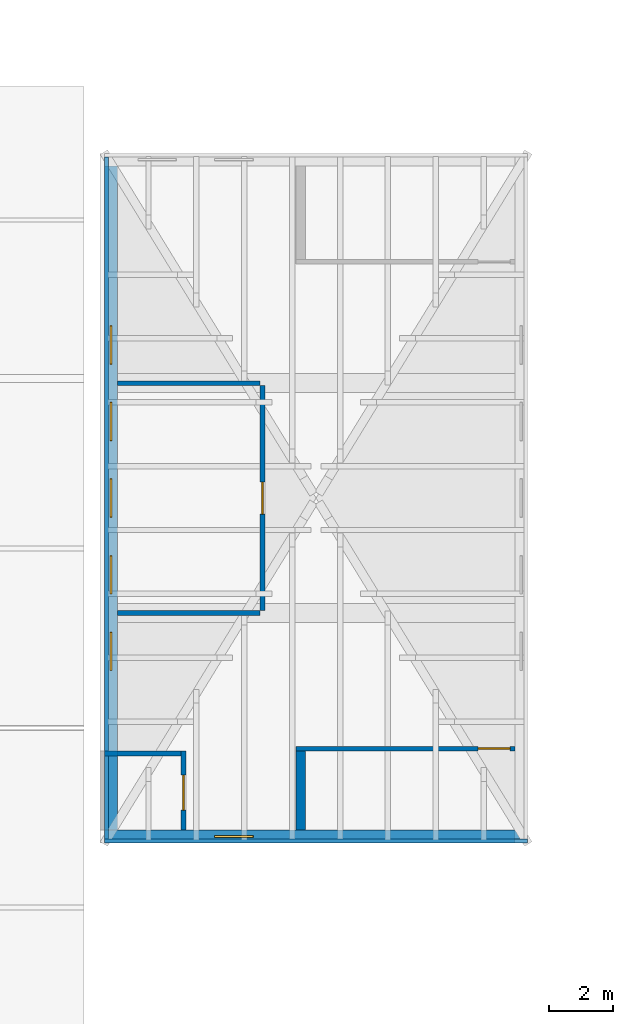
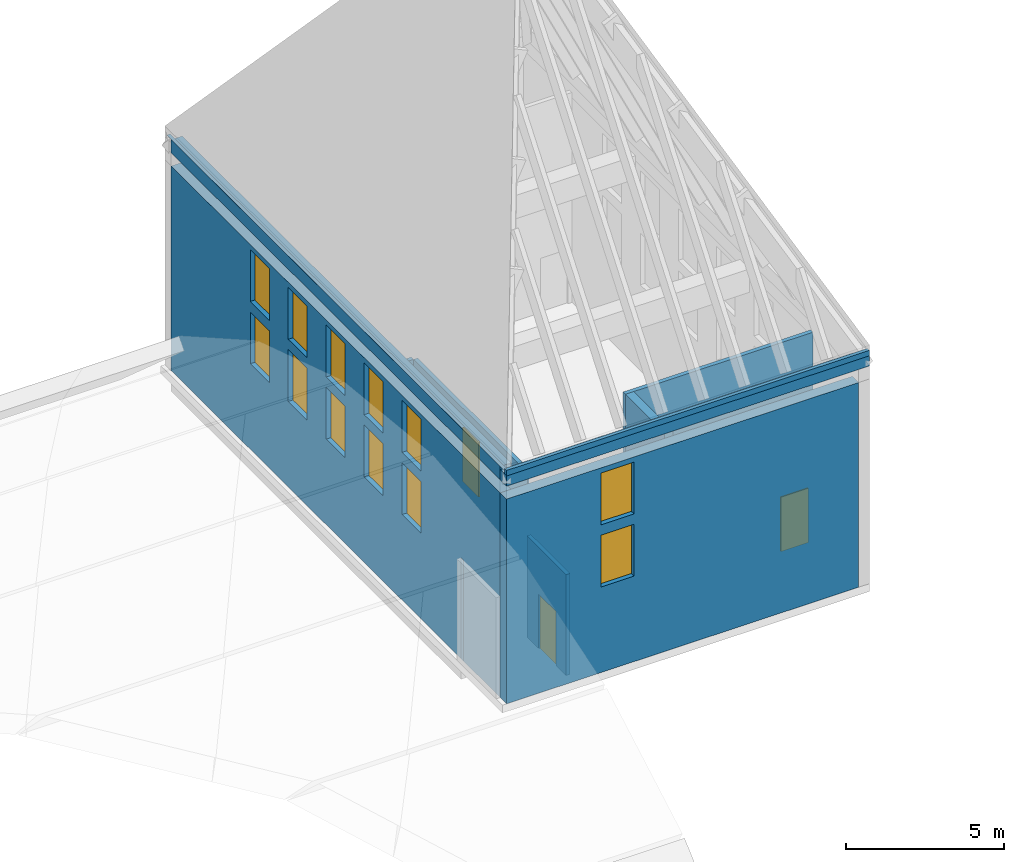
# One storey, part 5 of 8: 13 walls, 12 windows, 3 doors, 15 openings.
"""IFC4 building model written with IfcOpenShell, lengths in metres."""

import ifcopenshell
import ifcopenshell.guid

model = None  # the IFC model being written
_history = None  # IfcOwnerHistory: only IFC2X3 demands one
_inside = {}  # id of a spatial element -> (the spatial element, [elements in it])
_under = {}  # id of a project, library or spatial element -> (it, [spatial elements below it])
_declared = {}  # id of a project -> (the project, [libraries it declares])
_typed = {}  # id of a type object -> (the type object, [elements of that type])
_made_of = {}  # id of a material, layer set ... -> (it, [elements and type objects made of it])


def new_model(schema):
    """Start an empty IFC model of exactly this schema.

    Asked for "IFC4X3", IfcOpenShell would pick the latest addendum, in which some entities
    have other attributes; the version numbers below select the first issue.
    IFC2X3 requires an IfcOwnerHistory on every rooted entity: one is made here for all.
    """
    global model, _history
    if schema == "IFC4X3":
        model = ifcopenshell.file(schema_version=(4, 3, 0, 0))
    else:
        model = ifcopenshell.file(schema=schema)
    _inside.clear()
    _under.clear()
    _declared.clear()
    _typed.clear()
    _made_of.clear()
    _history = None
    if model.schema == "IFC2X3":
        org = make("IfcOrganization", Name="unknown")
        user = make(
            "IfcPersonAndOrganization",
            ThePerson=make("IfcPerson", FamilyName="unknown"),
            TheOrganization=org,
        )
        app = make(
            "IfcApplication",
            ApplicationDeveloper=org,
            Version="unknown",
            ApplicationFullName="unknown",
            ApplicationIdentifier="unknown",
        )
        _history = make(
            "IfcOwnerHistory",
            OwningUser=user,
            OwningApplication=app,
            ChangeAction="ADDED",
            CreationDate=0,
        )
    return model


def make(cls, **values):
    """One entity of the class cls with the attributes given. An attribute that is None is left unset."""
    return model.create_entity(
        cls, **{name: value for name, value in values.items() if value is not None}
    )


def rooted(cls, **values):
    """An entity with a GlobalId (a new one), such as an element, a storey or a relation."""
    return make(cls, GlobalId=ifcopenshell.guid.new(), OwnerHistory=_history, **values)


def si_unit(unit_type, name, prefix=None):
    """IfcSIUnit, for example si_unit("LENGTHUNIT", "METRE", prefix="MILLI")."""
    return make("IfcSIUnit", UnitType=unit_type, Prefix=prefix, Name=name)


def assignment(units):
    """IfcUnitAssignment: the units of a project."""
    return None if units is None else make("IfcUnitAssignment", Units=units)


def point(xyz):
    """IfcCartesianPoint."""
    return None if xyz is None else make("IfcCartesianPoint", Coordinates=xyz)


def direction(xyz):
    """IfcDirection."""
    return None if xyz is None else make("IfcDirection", DirectionRatios=xyz)


def frame(location, z_axis=None, x_axis=None):
    """IfcAxis2Placement3D, a coordinate frame: its origin and axes. An axis left out is left unset."""
    return make(
        "IfcAxis2Placement3D",
        Location=point(location),
        Axis=direction(z_axis),
        RefDirection=direction(x_axis),
    )


def frame_2d(location, x_axis=None):
    """IfcAxis2Placement2D, a coordinate frame in the plane: its origin and x axis."""
    return make(
        "IfcAxis2Placement2D", Location=point(location), RefDirection=direction(x_axis)
    )


def origin():
    """The frame at (0, 0, 0) with its axes left unset."""
    return frame((0.0, 0.0, 0.0))


def place(relative_to, where):
    """IfcLocalPlacement: puts the frame where relative to a parent placement (None: the world)."""
    return make(
        "IfcLocalPlacement", PlacementRelTo=relative_to, RelativePlacement=where
    )


def context(
    kind, dimensions, precision=None, world=None, true_north=None, identifier=None
):
    """IfcGeometricRepresentationContext, for example the 3D "Model" context."""
    return make(
        "IfcGeometricRepresentationContext",
        ContextIdentifier=identifier,
        ContextType=kind,
        CoordinateSpaceDimension=dimensions,
        Precision=precision,
        WorldCoordinateSystem=world,
        TrueNorth=true_north,
    )


def subcontext(parent, identifier, kind, view, scale=None):
    """IfcGeometricRepresentationSubContext, for example "Body" below "Model"."""
    return make(
        "IfcGeometricRepresentationSubContext",
        ContextIdentifier=identifier,
        ContextType=kind,
        ParentContext=parent,
        TargetScale=scale,
        TargetView=view,
    )


def project(units=None, contexts=None):
    """IfcProject with its units and contexts."""
    return rooted(
        "IfcProject",
        Name="project",
        RepresentationContexts=contexts,
        UnitsInContext=assignment(units),
    )


def spatial(cls, under=None, at=None, **own):
    """A site, building, storey or space (cls), placed at a placement, below another one or the project."""
    s = rooted(cls, ObjectPlacement=at, **own)
    if under is not None:
        _under.setdefault(under.id(), (under, []))[1].append(s)
    return s


def profile(cls, at=None, kind="AREA", **sizes):
    """A parametric profile (cls). Its sizes go by their IFC names, for example OverallWidth=200.0."""
    return make(cls, ProfileType=kind, Position=at, **sizes)


def rectangle(**sizes):
    """IfcRectangleProfileDef."""
    return profile("IfcRectangleProfileDef", **sizes)


def extrude(swept, where, along, depth):
    """IfcExtrudedAreaSolid: the profile swept, set in the frame where, extruded along a direction by depth."""
    return make(
        "IfcExtrudedAreaSolid",
        SweptArea=swept,
        Position=where,
        ExtrudedDirection=direction(along),
        Depth=depth,
    )


def shape(context_of_items, identifier, shape_type, items):
    """IfcShapeRepresentation: the items that make up one representation, for example the "Body"."""
    return make(
        "IfcShapeRepresentation",
        ContextOfItems=context_of_items,
        RepresentationIdentifier=identifier,
        RepresentationType=shape_type,
        Items=items,
    )


def material(Name=None, Category=None):
    """IfcMaterial."""
    return make("IfcMaterial", Name=Name, Category=Category)


def layer(
    of_material, thickness, ventilated=None, Name=None, Category=None, Priority=None
):
    """IfcMaterialLayer: one layer of a wall or slab, of a material (None: an air gap)."""
    return make(
        "IfcMaterialLayer",
        Material=of_material,
        LayerThickness=thickness,
        IsVentilated=ventilated,
        Name=Name,
        Category=Category,
        Priority=Priority,
    )


def layer_set(layers, Name=None):
    """IfcMaterialLayerSet."""
    return make("IfcMaterialLayerSet", MaterialLayers=layers, LayerSetName=Name)


def made_of(thing, what):
    """Note that an element or type object is made of a material, layer set ...; save() writes the relation."""
    if what is not None:
        _made_of.setdefault(what.id(), (what, []))[1].append(thing)
    return thing


def type_object(cls, material=None, **own):
    """A type object (cls), such as IfcWallType, which elements share."""
    return made_of(rooted(cls, **own), material)


def element(
    cls,
    number,
    at=None,
    inside=None,
    cuts=None,
    type_object=None,
    material=None,
    context=None,
    identifier="Body",
    shape_type=None,
    held_by="IfcProductDefinitionShape",
    body=None,
    shapes=None,
    **own,
):
    """One element of the class cls, such as IfcWall. Its Tag is "e" and its number.

    at: its placement. inside: the storey or other place that contains it. cuts: it is an
    opening in that element (IfcRelVoidsElement). A single representation is given by context,
    identifier, shape_type and body (its items); several are given by shapes. held_by: the class
    of the entity that holds the representations. save() writes the other relations.
    """
    e = rooted(cls, Tag="e%d" % number, ObjectPlacement=at, **own)
    if body is not None:
        shapes = [shape(context, identifier, shape_type, body)]
    if shapes is not None:
        e.Representation = make(held_by, Representations=shapes)
    if inside is not None:
        _inside.setdefault(inside.id(), (inside, []))[1].append(e)
    if cuts is not None:
        rooted(
            "IfcRelVoidsElement", RelatingBuildingElement=cuts, RelatedOpeningElement=e
        )
    if type_object is not None:
        _typed.setdefault(type_object.id(), (type_object, []))[1].append(e)
    return made_of(e, material)


def fill(opening, filler):
    """IfcRelFillsElement: the door or window that sits in an opening."""
    return rooted(
        "IfcRelFillsElement",
        RelatingOpeningElement=opening,
        RelatedBuildingElement=filler,
    )


def aggregate(whole, parts):
    """IfcRelAggregates: a whole, such as a stair, and the parts it consists of."""
    return rooted("IfcRelAggregates", RelatingObject=whole, RelatedObjects=parts)


def save(model, path):
    """Write the relations noted so far, then the file.

    IfcRelAggregates (storeys below a building ...), IfcRelContainedInSpatialStructure (elements
    in a storey), IfcRelDefinesByType, IfcRelAssociatesMaterial and IfcRelDeclares: one each for
    every whole, place, type object, material and project.
    """
    for whole, parts in _under.values():
        aggregate(whole, parts)
    for where, things in _inside.values():
        rooted(
            "IfcRelContainedInSpatialStructure",
            RelatedElements=things,
            RelatingStructure=where,
        )
    for kind, things in _typed.values():
        rooted("IfcRelDefinesByType", RelatedObjects=things, RelatingType=kind)
    for what, things in _made_of.values():
        rooted("IfcRelAssociatesMaterial", RelatedObjects=things, RelatingMaterial=what)
    for by, libraries in _declared.values():
        rooted("IfcRelDeclares", RelatingContext=by, RelatedDefinitions=libraries)
    model.write(path)


model = new_model("IFC4")

# Units and contexts
model_context = context("Model", 3, precision=1e-05, world=origin(), true_north=direction((0.0, 1.0)))
body_context = subcontext(model_context, "Body", "Model", "MODEL_VIEW")
ifc_project = project(units=[si_unit("LENGTHUNIT", "METRE"), si_unit("AREAUNIT", "SQUARE_METRE"), si_unit("VOLUMEUNIT", "CUBIC_METRE"), si_unit("PLANEANGLEUNIT", "RADIAN"), si_unit("MASSUNIT", "GRAM", prefix="KILO")], contexts=[model_context])

# Site, building, storey
site_placement = place(None, origin())
site = spatial("IfcSite", under=ifc_project, at=site_placement, CompositionType="ELEMENT")
building_placement = place(site_placement, origin())
building = spatial("IfcBuilding", under=site, at=building_placement, Name="Vermilion Court Aquatics Centre", CompositionType="ELEMENT")
storey_placement = place(building_placement, frame((0.0, 0.0, 23.300048828125)))
storey = spatial("IfcBuildingStorey", under=building, at=storey_placement, Name="ROOF", CompositionType="ELEMENT", Elevation=23.300048828125)

# Walls
ifc_material_1 = material(Name="Terracotta cladding", Category="masonry")
ifc_layer_1 = layer(ifc_material_1, 0.1201171875)
ifc_layer_set_1 = layer_set([ifc_layer_1], Name="Diving Tower crown eaves fascia 120")
wall_type_1 = type_object("IfcWallType", Name="Diving Tower crown eaves fascia 120", PredefinedType="PARAPET", material=ifc_layer_set_1)
wall_1_placement = place(storey_placement, frame((144.64990234375, 36.06005859375, 8.792724609375), z_axis=(0.0, 0.0, 1.0), x_axis=(1.0, 0.0, 0.0)))
element("IfcWall", 1, at=wall_1_placement, inside=storey, type_object=wall_type_1, Name="Diving Tower crown eaves fascia S", PredefinedType="PARAPET", context=body_context, shape_type="SweptSolid", body=[
    extrude(rectangle(XDim=13.25, YDim=0.1201171875, at=frame_2d((6.625, 0.0))), origin(), (0.0, 0.0, 1.0), 0.212890625),
])
wall_2_placement = place(storey_placement, frame((144.7099609375, 36.1201171875, 8.915283203125), z_axis=(0.0, 0.0, 1.0), x_axis=(0.0, 1.0, 0.0)))
element("IfcWall", 2, at=wall_2_placement, inside=storey, type_object=wall_type_1, Name="Diving Tower crown eaves fascia W", PredefinedType="PARAPET", context=body_context, shape_type="SweptSolid", body=[
    extrude(rectangle(XDim=21.35986328125, YDim=0.1201171875, at=frame_2d((10.679931640625, 0.0))), origin(), (0.0, 0.0, 1.0), 0.006103515625),
])
ifc_material_2 = material(Name="Concrete 8000 psi", Category="concrete")
ifc_layer_2 = layer(ifc_material_2, 0.39990234375)
ifc_layer_set_2 = layer_set([ifc_layer_2], Name="Diving Tower crown eaves kerb 400")
wall_type_2 = type_object("IfcWallType", Name="Diving Tower crown eaves kerb 400", PredefinedType="PARAPET", material=ifc_layer_set_2)
wall_3_placement = place(storey_placement, frame((144.64990234375, 36.199951171875, 8.39990234375), z_axis=(0.0, 0.0, 1.0), x_axis=(1.0, 0.0, 0.0)))
element("IfcWall", 3, at=wall_3_placement, inside=storey, type_object=wall_type_2, Name="Diving Tower crown eaves kerb S", PredefinedType="PARAPET", context=body_context, shape_type="SweptSolid", body=[
    extrude(rectangle(XDim=13.25, YDim=0.39990234375, at=frame_2d((6.625, 0.0))), origin(), (0.0, 0.0, 1.0), 0.392822265625),
])
wall_4_placement = place(storey_placement, frame((144.85009765625, 36.39990234375, 8.39990234375), z_axis=(0.0, 0.0, 1.0), x_axis=(0.0, 1.0, 0.0)))
element("IfcWall", 4, at=wall_4_placement, inside=storey, type_object=wall_type_2, Name="Diving Tower crown eaves kerb W", PredefinedType="PARAPET", context=body_context, shape_type="SweptSolid", body=[
    extrude(rectangle(XDim=20.800048828125, YDim=0.39990234375, at=frame_2d((10.39990234375, 0.0))), origin(), (0.0, 0.0, 1.0), 0.515380859375),
])

# Wall, opening, door
ifc_material_3 = material(Name="Concrete 5000 psi", Category="concrete")
ifc_layer_3 = layer(ifc_material_3, 0.14990234375)
ifc_layer_set_3 = layer_set([ifc_layer_3], Name="Diving Tower lift shaft wall 150")
wall_type_3 = type_object("IfcWallType", Name="Diving Tower lift shaft wall 150", PredefinedType="PARTITIONING", material=ifc_layer_set_3)
wall_5_placement = place(storey_placement, frame((147.125, 36.39990234375, 0.0), z_axis=(0.0, 0.0, 1.0), x_axis=(0.0, 1.0, 0.0)))
wall_5 = element("IfcWall", 5, at=wall_5_placement, inside=storey, type_object=wall_type_3, Name="Diving Tower lift overrun wall front", PredefinedType="PARTITIONING", context=body_context, shape_type="SweptSolid", body=[
    extrude(rectangle(XDim=2.47509765625, YDim=0.14990234375, at=frame_2d((1.237548828125, 0.0))), origin(), (0.0, 0.0, 1.0), 3.89990234375),
])
opening_1_placement = place(wall_5_placement, frame((0.625, 0.0, 0.0)))
opening_1 = element("IfcOpeningElement", 6, at=opening_1_placement, cuts=wall_5, Name="Opening LD5-OOF", PredefinedType="OPENING", context=body_context, shape_type="SweptSolid", body=[
    extrude(rectangle(XDim=1.10009765625, YDim=2.10009765625, at=frame_2d((0.550048828125, 1.050048828125))), frame((0.0, 0.0849609375, 0.0), z_axis=(0.0, -1.0, 0.0), x_axis=(1.0, 0.0, 0.0)), (0.0, 0.0, 1.0), 0.169921875),
])
ifc_material_4 = material(Name="Hollow metal")
door_type_1 = type_object("IfcDoorType", Name="Diving Tower lift landing door 1100x2100", OperationType="DOUBLE_DOOR_SLIDING", PredefinedType="DOOR", material=ifc_material_4)
door_1_placement = place(opening_1_placement, origin())
door_1 = element("IfcDoor", 7, at=door_1_placement, inside=storey, type_object=door_type_1, Name="Lift landing door L5 ROOF", OperationType="DOUBLE_DOOR_SLIDING", OverallHeight=2.10009765625, OverallWidth=1.10009765625, PredefinedType="DOOR", context=body_context, shape_type="SweptSolid", body=[
    extrude(rectangle(XDim=1.10009765625, YDim=2.10009765625, at=frame_2d((0.550048828125, 1.050048828125))), frame((0.0, 0.02490234375, 0.0), z_axis=(0.0, -1.0, 0.0), x_axis=(1.0, 0.0, 0.0)), (0.0, 0.0, 1.0), 0.050048828125),
])
fill(opening_1, door_1)

# Walls
wall_6_placement = place(storey_placement, frame((144.64990234375, 38.800048828125, 0.0), z_axis=(0.0, 0.0, 1.0), x_axis=(1.0, 0.0, 0.0)))
element("IfcWall", 8, at=wall_6_placement, inside=storey, type_object=wall_type_3, Name="Diving Tower lift overrun wall north", PredefinedType="PARTITIONING", context=body_context, shape_type="SweptSolid", body=[
    extrude(rectangle(XDim=2.550048828125, YDim=0.14990234375, at=frame_2d((1.27490234375, 0.0))), origin(), (0.0, 0.0, 1.0), 3.89990234375),
])
for number, where, z_axis, x_axis, name in (
    (9, (145.050048828125, 43.199951171875, 0.0), (0.0, 0.0, 1.0), (1.0, 0.0, 0.0), "Diving Tower lift shaft wall control room south"),
    (10, (145.050048828125, 50.39990234375, 0.0), (0.0, 0.0, 1.0), (1.0, 0.0, 0.0), "Diving Tower lift shaft wall control room north"),
):
    element("IfcWall", number, at=place(storey_placement, frame(where, z_axis=z_axis, x_axis=x_axis)), inside=storey, type_object=wall_type_3, Name=name, PredefinedType="PARTITIONING", context=body_context, shape_type="SweptSolid", body=[
        extrude(rectangle(XDim=4.474853515625, YDim=0.14990234375, at=frame_2d((2.2373046875, 0.0))), origin(), (0.0, 0.0, 1.0), 2.89990234375),
    ])

# Wall, opening, door
ifc_material_5 = material(Name="Concrete masonry ASTM C90 Type I", Category="masonry")
ifc_layer_4 = layer(ifc_material_5, 0.14990234375)
ifc_layer_set_4 = layer_set([ifc_layer_4], Name="Diving Tower partition 150")
wall_type_4 = type_object("IfcWallType", Name="Diving Tower partition 150", PredefinedType="PARTITIONING", material=ifc_layer_set_4)
wall_7_placement = place(storey_placement, frame((149.60009765625, 43.27490234375, 0.0), z_axis=(0.0, 0.0, 1.0), x_axis=(0.0, 1.0, 0.0)))
wall_7 = element("IfcWall", 11, at=wall_7_placement, inside=storey, type_object=wall_type_4, Name="Diving Tower control room east partition", PredefinedType="PARTITIONING", context=body_context, shape_type="SweptSolid", body=[
    extrude(rectangle(XDim=7.050048828125, YDim=0.14990234375, at=frame_2d((3.52490234375, 0.0))), origin(), (0.0, 0.0, 1.0), 2.89990234375),
])
opening_2_placement = place(wall_7_placement, frame((3.02490234375, 0.0, 0.0)))
opening_2 = element("IfcOpeningElement", 12, at=opening_2_placement, cuts=wall_7, Name="Opening UROOF-001", PredefinedType="OPENING", context=body_context, shape_type="SweptSolid", body=[
    extrude(rectangle(XDim=1.0, YDim=2.10009765625, at=frame_2d((0.5, 1.050048828125))), frame((0.0, 0.0849609375, 0.0), z_axis=(0.0, -1.0, 0.0), x_axis=(1.0, 0.0, 0.0)), (0.0, 0.0, 1.0), 0.169921875),
])
ifc_material_6 = material(Name="Hollow metal")
door_type_2 = type_object("IfcDoorType", Name="Diving Tower stair door FD90 1000x2100", OperationType="NOTDEFINED", PredefinedType="DOOR", material=ifc_material_6)
door_2_placement = place(opening_2_placement, origin())
door_2 = element("IfcDoor", 13, at=door_2_placement, inside=storey, type_object=door_type_2, Name="Diving Tower plant control room door", OperationType="SINGLE_SWING_LEFT", OverallHeight=2.10009765625, OverallWidth=1.0, PredefinedType="DOOR", context=body_context, shape_type="SweptSolid", body=[
    extrude(rectangle(XDim=1.0, YDim=2.10009765625, at=frame_2d((0.5, 1.050048828125))), frame((0.0, 0.02490234375, 0.0), z_axis=(0.0, -1.0, 0.0), x_axis=(1.0, 0.0, 0.0)), (0.0, 0.0, 1.0), 0.050048828125),
])
fill(opening_2, door_2)

# Wall, openings, windows
ifc_material_7 = material(Name="Brick masonry", Category="masonry")
ifc_layer_5 = layer(ifc_material_7, 0.39990234375)
ifc_layer_set_5 = layer_set([ifc_layer_5], Name="Diving Tower plant shaft wall 400")
wall_type_5 = type_object("IfcWallType", Name="Diving Tower plant shaft wall 400", PredefinedType="SOLIDWALL", material=ifc_layer_set_5)
wall_8_placement = place(storey_placement, frame((144.64990234375, 36.199951171875, 0.0), z_axis=(0.0, 0.0, 1.0), x_axis=(1.0, 0.0, 0.0)))
wall_8 = element("IfcWall", 14, at=wall_8_placement, inside=storey, type_object=wall_type_5, Name="Diving Tower plant shaft wall south", PredefinedType="SOLIDWALL", context=body_context, shape_type="SweptSolid", body=[
    extrude(rectangle(XDim=12.85009765625, YDim=0.39990234375, at=frame_2d((6.425048828125, 0.0))), origin(), (0.0, 0.0, 1.0), 7.89990234375),
])
opening_3_placement = place(wall_8_placement, frame((3.449951171875, 0.0, 3.300048828125)))
opening_3 = element("IfcOpeningElement", 15, at=opening_3_placement, cuts=wall_8, Name="Opening UWN13", PredefinedType="OPENING", context=body_context, shape_type="SweptSolid", body=[
    extrude(rectangle(XDim=1.199951171875, YDim=2.0, at=frame_2d((0.60009765625, 1.0))), frame((0.0, 0.2099609375, 0.0), z_axis=(0.0, -1.0, 0.0), x_axis=(1.0, 0.0, 0.0)), (0.0, 0.0, 1.0), 0.419921875),
])
opening_4_placement = place(wall_8_placement, frame((3.449951171875, 0.0, 5.699951171875)))
opening_4 = element("IfcOpeningElement", 16, at=opening_4_placement, cuts=wall_8, Name="Opening UWN13", PredefinedType="OPENING", context=body_context, shape_type="SweptSolid", body=[
    extrude(rectangle(XDim=1.199951171875, YDim=2.0, at=frame_2d((0.60009765625, 1.0))), frame((0.0, 0.2099609375, 0.0), z_axis=(0.0, -1.0, 0.0), x_axis=(1.0, 0.0, 0.0)), (0.0, 0.0, 1.0), 0.419921875),
])
ifc_material_8 = material(Name="Aluminium 6063-T5", Category="aluminium")
window_type = type_object("IfcWindowType", Name="Diving Tower plant louvre 1200x2000", PartitioningType="SINGLE_PANEL", PredefinedType="WINDOW", material=ifc_material_8)
window_1_placement = place(opening_3_placement, origin())
window_1 = element("IfcWindow", 17, at=window_1_placement, inside=storey, type_object=window_type, Name="Diving Tower plant louvre S13 band 1", OverallHeight=2.0, OverallWidth=1.199951171875, PartitioningType="SINGLE_PANEL", PredefinedType="WINDOW", context=body_context, shape_type="SweptSolid", body=[
    extrude(rectangle(XDim=1.199951171875, YDim=2.0, at=frame_2d((0.60009765625, 1.0))), frame((0.0, 0.030029296875, 0.0), z_axis=(0.0, -1.0, 0.0), x_axis=(1.0, 0.0, 0.0)), (0.0, 0.0, 1.0), 0.06005859375),
])
fill(opening_3, window_1)
window_2_placement = place(opening_4_placement, origin())
window_2 = element("IfcWindow", 18, at=window_2_placement, inside=storey, type_object=window_type, Name="Diving Tower plant louvre S13 band 2", OverallHeight=2.0, OverallWidth=1.199951171875, PartitioningType="SINGLE_PANEL", PredefinedType="WINDOW", context=body_context, shape_type="SweptSolid", body=[
    extrude(rectangle(XDim=1.199951171875, YDim=2.0, at=frame_2d((0.60009765625, 1.0))), frame((0.0, 0.030029296875, 0.0), z_axis=(0.0, -1.0, 0.0), x_axis=(1.0, 0.0, 0.0)), (0.0, 0.0, 1.0), 0.06005859375),
])
fill(opening_4, window_2)

wall_9_placement = place(storey_placement, frame((144.85009765625, 36.39990234375, 0.0), z_axis=(0.0, 0.0, 1.0), x_axis=(0.0, 1.0, 0.0)))
wall_9 = element("IfcWall", 19, at=wall_9_placement, inside=storey, type_object=wall_type_5, Name="Diving Tower plant shaft wall west", PredefinedType="SOLIDWALL", context=body_context, shape_type="SweptSolid", body=[
    extrude(rectangle(XDim=20.800048828125, YDim=0.39990234375, at=frame_2d((10.39990234375, 0.0))), origin(), (0.0, 0.0, 1.0), 7.89990234375),
])
opening_5_placement = place(wall_9_placement, frame((5.0, 0.0, 3.300048828125)))
opening_5 = element("IfcOpeningElement", 20, at=opening_5_placement, cuts=wall_9, Name="Opening UWN13", PredefinedType="OPENING", context=body_context, shape_type="SweptSolid", body=[
    extrude(rectangle(XDim=1.199951171875, YDim=2.0, at=frame_2d((0.60009765625, 1.0))), frame((0.0, 0.2099609375, 0.0), z_axis=(0.0, -1.0, 0.0), x_axis=(1.0, 0.0, 0.0)), (0.0, 0.0, 1.0), 0.419921875),
])
opening_6_placement = place(wall_9_placement, frame((7.39990234375, 0.0, 3.300048828125)))
opening_6 = element("IfcOpeningElement", 21, at=opening_6_placement, cuts=wall_9, Name="Opening UWN13", PredefinedType="OPENING", context=body_context, shape_type="SweptSolid", body=[
    extrude(rectangle(XDim=1.199951171875, YDim=2.0, at=frame_2d((0.60009765625, 1.0))), frame((0.0, 0.2099609375, 0.0), z_axis=(0.0, -1.0, 0.0), x_axis=(1.0, 0.0, 0.0)), (0.0, 0.0, 1.0), 0.419921875),
])
opening_7_placement = place(wall_9_placement, frame((9.800048828125, 0.0, 3.300048828125)))
opening_7 = element("IfcOpeningElement", 22, at=opening_7_placement, cuts=wall_9, Name="Opening UWN13", PredefinedType="OPENING", context=body_context, shape_type="SweptSolid", body=[
    extrude(rectangle(XDim=1.199951171875, YDim=2.0, at=frame_2d((0.60009765625, 1.0))), frame((0.0, 0.2099609375, 0.0), z_axis=(0.0, -1.0, 0.0), x_axis=(1.0, 0.0, 0.0)), (0.0, 0.0, 1.0), 0.419921875),
])
opening_8_placement = place(wall_9_placement, frame((12.199951171875, 0.0, 3.300048828125)))
opening_8 = element("IfcOpeningElement", 23, at=opening_8_placement, cuts=wall_9, Name="Opening UWN13", PredefinedType="OPENING", context=body_context, shape_type="SweptSolid", body=[
    extrude(rectangle(XDim=1.199951171875, YDim=2.0, at=frame_2d((0.60009765625, 1.0))), frame((0.0, 0.2099609375, 0.0), z_axis=(0.0, -1.0, 0.0), x_axis=(1.0, 0.0, 0.0)), (0.0, 0.0, 1.0), 0.419921875),
])
opening_9_placement = place(wall_9_placement, frame((14.60009765625, 0.0, 3.300048828125)))
opening_9 = element("IfcOpeningElement", 24, at=opening_9_placement, cuts=wall_9, Name="Opening UWN13", PredefinedType="OPENING", context=body_context, shape_type="SweptSolid", body=[
    extrude(rectangle(XDim=1.199951171875, YDim=2.0, at=frame_2d((0.60009765625, 1.0))), frame((0.0, 0.2099609375, 0.0), z_axis=(0.0, -1.0, 0.0), x_axis=(1.0, 0.0, 0.0)), (0.0, 0.0, 1.0), 0.419921875),
])
opening_10_placement = place(wall_9_placement, frame((5.0, 0.0, 5.699951171875)))
opening_10 = element("IfcOpeningElement", 25, at=opening_10_placement, cuts=wall_9, Name="Opening UWN13", PredefinedType="OPENING", context=body_context, shape_type="SweptSolid", body=[
    extrude(rectangle(XDim=1.199951171875, YDim=2.0, at=frame_2d((0.60009765625, 1.0))), frame((0.0, 0.2099609375, 0.0), z_axis=(0.0, -1.0, 0.0), x_axis=(1.0, 0.0, 0.0)), (0.0, 0.0, 1.0), 0.419921875),
])
opening_11_placement = place(wall_9_placement, frame((7.39990234375, 0.0, 5.699951171875)))
opening_11 = element("IfcOpeningElement", 26, at=opening_11_placement, cuts=wall_9, Name="Opening UWN13", PredefinedType="OPENING", context=body_context, shape_type="SweptSolid", body=[
    extrude(rectangle(XDim=1.199951171875, YDim=2.0, at=frame_2d((0.60009765625, 1.0))), frame((0.0, 0.2099609375, 0.0), z_axis=(0.0, -1.0, 0.0), x_axis=(1.0, 0.0, 0.0)), (0.0, 0.0, 1.0), 0.419921875),
])
opening_12_placement = place(wall_9_placement, frame((9.800048828125, 0.0, 5.699951171875)))
opening_12 = element("IfcOpeningElement", 27, at=opening_12_placement, cuts=wall_9, Name="Opening UWN13", PredefinedType="OPENING", context=body_context, shape_type="SweptSolid", body=[
    extrude(rectangle(XDim=1.199951171875, YDim=2.0, at=frame_2d((0.60009765625, 1.0))), frame((0.0, 0.2099609375, 0.0), z_axis=(0.0, -1.0, 0.0), x_axis=(1.0, 0.0, 0.0)), (0.0, 0.0, 1.0), 0.419921875),
])
opening_13_placement = place(wall_9_placement, frame((12.199951171875, 0.0, 5.699951171875)))
opening_13 = element("IfcOpeningElement", 28, at=opening_13_placement, cuts=wall_9, Name="Opening UWN13", PredefinedType="OPENING", context=body_context, shape_type="SweptSolid", body=[
    extrude(rectangle(XDim=1.199951171875, YDim=2.0, at=frame_2d((0.60009765625, 1.0))), frame((0.0, 0.2099609375, 0.0), z_axis=(0.0, -1.0, 0.0), x_axis=(1.0, 0.0, 0.0)), (0.0, 0.0, 1.0), 0.419921875),
])
opening_14_placement = place(wall_9_placement, frame((14.60009765625, 0.0, 5.699951171875)))
opening_14 = element("IfcOpeningElement", 29, at=opening_14_placement, cuts=wall_9, Name="Opening UWN13", PredefinedType="OPENING", context=body_context, shape_type="SweptSolid", body=[
    extrude(rectangle(XDim=1.199951171875, YDim=2.0, at=frame_2d((0.60009765625, 1.0))), frame((0.0, 0.2099609375, 0.0), z_axis=(0.0, -1.0, 0.0), x_axis=(1.0, 0.0, 0.0)), (0.0, 0.0, 1.0), 0.419921875),
])
window_3_placement = place(opening_5_placement, origin())
window_3 = element("IfcWindow", 30, at=window_3_placement, inside=storey, type_object=window_type, Name="Diving Tower plant louvre W6 band 1", OverallHeight=2.0, OverallWidth=1.199951171875, PartitioningType="SINGLE_PANEL", PredefinedType="WINDOW", context=body_context, shape_type="SweptSolid", body=[
    extrude(rectangle(XDim=1.199951171875, YDim=2.0, at=frame_2d((0.60009765625, 1.0))), frame((0.0, 0.030029296875, 0.0), z_axis=(0.0, -1.0, 0.0), x_axis=(1.0, 0.0, 0.0)), (0.0, 0.0, 1.0), 0.06005859375),
])
fill(opening_5, window_3)
window_4_placement = place(opening_6_placement, origin())
window_4 = element("IfcWindow", 31, at=window_4_placement, inside=storey, type_object=window_type, Name="Diving Tower plant louvre W7 band 1", OverallHeight=2.0, OverallWidth=1.199951171875, PartitioningType="SINGLE_PANEL", PredefinedType="WINDOW", context=body_context, shape_type="SweptSolid", body=[
    extrude(rectangle(XDim=1.199951171875, YDim=2.0, at=frame_2d((0.60009765625, 1.0))), frame((0.0, 0.030029296875, 0.0), z_axis=(0.0, -1.0, 0.0), x_axis=(1.0, 0.0, 0.0)), (0.0, 0.0, 1.0), 0.06005859375),
])
fill(opening_6, window_4)
window_5_placement = place(opening_7_placement, origin())
window_5 = element("IfcWindow", 32, at=window_5_placement, inside=storey, type_object=window_type, Name="Diving Tower plant louvre W8 band 1", OverallHeight=2.0, OverallWidth=1.199951171875, PartitioningType="SINGLE_PANEL", PredefinedType="WINDOW", context=body_context, shape_type="SweptSolid", body=[
    extrude(rectangle(XDim=1.199951171875, YDim=2.0, at=frame_2d((0.60009765625, 1.0))), frame((0.0, 0.030029296875, 0.0), z_axis=(0.0, -1.0, 0.0), x_axis=(1.0, 0.0, 0.0)), (0.0, 0.0, 1.0), 0.06005859375),
])
fill(opening_7, window_5)
window_6_placement = place(opening_8_placement, origin())
window_6 = element("IfcWindow", 33, at=window_6_placement, inside=storey, type_object=window_type, Name="Diving Tower plant louvre W9 band 1", OverallHeight=2.0, OverallWidth=1.199951171875, PartitioningType="SINGLE_PANEL", PredefinedType="WINDOW", context=body_context, shape_type="SweptSolid", body=[
    extrude(rectangle(XDim=1.199951171875, YDim=2.0, at=frame_2d((0.60009765625, 1.0))), frame((0.0, 0.030029296875, 0.0), z_axis=(0.0, -1.0, 0.0), x_axis=(1.0, 0.0, 0.0)), (0.0, 0.0, 1.0), 0.06005859375),
])
fill(opening_8, window_6)
window_7_placement = place(opening_9_placement, origin())
window_7 = element("IfcWindow", 34, at=window_7_placement, inside=storey, type_object=window_type, Name="Diving Tower plant louvre W10 band 1", OverallHeight=2.0, OverallWidth=1.199951171875, PartitioningType="SINGLE_PANEL", PredefinedType="WINDOW", context=body_context, shape_type="SweptSolid", body=[
    extrude(rectangle(XDim=1.199951171875, YDim=2.0, at=frame_2d((0.60009765625, 1.0))), frame((0.0, 0.030029296875, 0.0), z_axis=(0.0, -1.0, 0.0), x_axis=(1.0, 0.0, 0.0)), (0.0, 0.0, 1.0), 0.06005859375),
])
fill(opening_9, window_7)
window_8_placement = place(opening_10_placement, origin())
window_8 = element("IfcWindow", 35, at=window_8_placement, inside=storey, type_object=window_type, Name="Diving Tower plant louvre W6 band 2", OverallHeight=2.0, OverallWidth=1.199951171875, PartitioningType="SINGLE_PANEL", PredefinedType="WINDOW", context=body_context, shape_type="SweptSolid", body=[
    extrude(rectangle(XDim=1.199951171875, YDim=2.0, at=frame_2d((0.60009765625, 1.0))), frame((0.0, 0.030029296875, 0.0), z_axis=(0.0, -1.0, 0.0), x_axis=(1.0, 0.0, 0.0)), (0.0, 0.0, 1.0), 0.06005859375),
])
fill(opening_10, window_8)
window_9_placement = place(opening_11_placement, origin())
window_9 = element("IfcWindow", 36, at=window_9_placement, inside=storey, type_object=window_type, Name="Diving Tower plant louvre W7 band 2", OverallHeight=2.0, OverallWidth=1.199951171875, PartitioningType="SINGLE_PANEL", PredefinedType="WINDOW", context=body_context, shape_type="SweptSolid", body=[
    extrude(rectangle(XDim=1.199951171875, YDim=2.0, at=frame_2d((0.60009765625, 1.0))), frame((0.0, 0.030029296875, 0.0), z_axis=(0.0, -1.0, 0.0), x_axis=(1.0, 0.0, 0.0)), (0.0, 0.0, 1.0), 0.06005859375),
])
fill(opening_11, window_9)
window_10_placement = place(opening_12_placement, origin())
window_10 = element("IfcWindow", 37, at=window_10_placement, inside=storey, type_object=window_type, Name="Diving Tower plant louvre W8 band 2", OverallHeight=2.0, OverallWidth=1.199951171875, PartitioningType="SINGLE_PANEL", PredefinedType="WINDOW", context=body_context, shape_type="SweptSolid", body=[
    extrude(rectangle(XDim=1.199951171875, YDim=2.0, at=frame_2d((0.60009765625, 1.0))), frame((0.0, 0.030029296875, 0.0), z_axis=(0.0, -1.0, 0.0), x_axis=(1.0, 0.0, 0.0)), (0.0, 0.0, 1.0), 0.06005859375),
])
fill(opening_12, window_10)
window_11_placement = place(opening_13_placement, origin())
window_11 = element("IfcWindow", 38, at=window_11_placement, inside=storey, type_object=window_type, Name="Diving Tower plant louvre W9 band 2", OverallHeight=2.0, OverallWidth=1.199951171875, PartitioningType="SINGLE_PANEL", PredefinedType="WINDOW", context=body_context, shape_type="SweptSolid", body=[
    extrude(rectangle(XDim=1.199951171875, YDim=2.0, at=frame_2d((0.60009765625, 1.0))), frame((0.0, 0.030029296875, 0.0), z_axis=(0.0, -1.0, 0.0), x_axis=(1.0, 0.0, 0.0)), (0.0, 0.0, 1.0), 0.06005859375),
])
fill(opening_13, window_11)
window_12_placement = place(opening_14_placement, origin())
window_12 = element("IfcWindow", 39, at=window_12_placement, inside=storey, type_object=window_type, Name="Diving Tower plant louvre W10 band 2", OverallHeight=2.0, OverallWidth=1.199951171875, PartitioningType="SINGLE_PANEL", PredefinedType="WINDOW", context=body_context, shape_type="SweptSolid", body=[
    extrude(rectangle(XDim=1.199951171875, YDim=2.0, at=frame_2d((0.60009765625, 1.0))), frame((0.0, 0.030029296875, 0.0), z_axis=(0.0, -1.0, 0.0), x_axis=(1.0, 0.0, 0.0)), (0.0, 0.0, 1.0), 0.06005859375),
])
fill(opening_14, window_12)

# Wall, opening, door
ifc_material_9 = material(Name="Concrete 5000 psi", Category="concrete")
ifc_layer_6 = layer(ifc_material_9, 0.14990234375)
ifc_layer_set_6 = layer_set([ifc_layer_6], Name="Diving Tower stair lane wall 150")
wall_type_6 = type_object("IfcWallType", Name="Diving Tower stair lane wall 150", PredefinedType="SHEAR", material=ifc_layer_set_6)
wall_10_placement = place(storey_placement, frame((150.64990234375, 38.949951171875, 0.0), z_axis=(0.0, 0.0, 1.0), x_axis=(1.0, 0.0, 0.0)))
wall_10 = element("IfcWall", 40, at=wall_10_placement, inside=storey, type_object=wall_type_6, Name="Diving Tower stair 1 head lane wall", PredefinedType="SHEAR", context=body_context, shape_type="SweptSolid", body=[
    extrude(rectangle(XDim=6.85009765625, YDim=0.14990234375, at=frame_2d((3.425048828125, 0.0))), origin(), (0.0, 0.0, 1.0), 8.099853515625),
])
opening_15_placement = place(wall_10_placement, frame((5.699951171875, 0.0, 0.0)))
opening_15 = element("IfcOpeningElement", 41, at=opening_15_placement, cuts=wall_10, Name="Opening UROOF-004", PredefinedType="OPENING", context=body_context, shape_type="SweptSolid", body=[
    extrude(rectangle(XDim=1.0, YDim=2.10009765625, at=frame_2d((0.5, 1.050048828125))), frame((0.0, 0.0849609375, 0.0), z_axis=(0.0, -1.0, 0.0), x_axis=(1.0, 0.0, 0.0)), (0.0, 0.0, 1.0), 0.169921875),
])
door_3_placement = place(opening_15_placement, frame((1.0, 0.0, 0.0), z_axis=(0.0, 0.0, 1.0), x_axis=(-1.0, 0.0, 0.0)))
door_3 = element("IfcDoor", 42, at=door_3_placement, inside=storey, type_object=door_type_2, Name="Diving Stair 1 plant door", OperationType="SINGLE_SWING_LEFT", OverallHeight=2.10009765625, OverallWidth=1.0, PredefinedType="DOOR", context=body_context, shape_type="SweptSolid", body=[
    extrude(rectangle(XDim=1.0, YDim=2.10009765625, at=frame_2d((0.5, 1.050048828125))), frame((0.0, 0.025146484375, 0.0), z_axis=(0.0, -1.0, 0.0), x_axis=(1.0, 0.0, 0.0)), (0.0, 0.0, 1.0), 0.050048828125),
])
fill(opening_15, door_3)

# Wall
ifc_material_10 = material(Name="Concrete 8000 psi", Category="concrete")
ifc_layer_7 = layer(ifc_material_10, 0.300048828125)
ifc_layer_set_7 = layer_set([ifc_layer_7], Name="Diving Tower stair wall 300")
wall_type_7 = type_object("IfcWallType", Name="Diving Tower stair wall 300", PredefinedType="SHEAR", material=ifc_layer_set_7)
wall_11_placement = place(storey_placement, frame((150.800048828125, 36.39990234375, 0.0), z_axis=(0.0, 0.0, 1.0), x_axis=(0.0, 1.0, 0.0)))
element("IfcWall", 43, at=wall_11_placement, inside=storey, type_object=wall_type_7, Name="Diving Tower stair 1 head west wall", PredefinedType="SHEAR", context=body_context, shape_type="SweptSolid", body=[
    extrude(rectangle(XDim=2.47509765625, YDim=0.300048828125, at=frame_2d((1.237548828125, 0.0))), origin(), (0.0, 0.0, 1.0), 8.099853515625),
])

save(model, "model.ifc")
